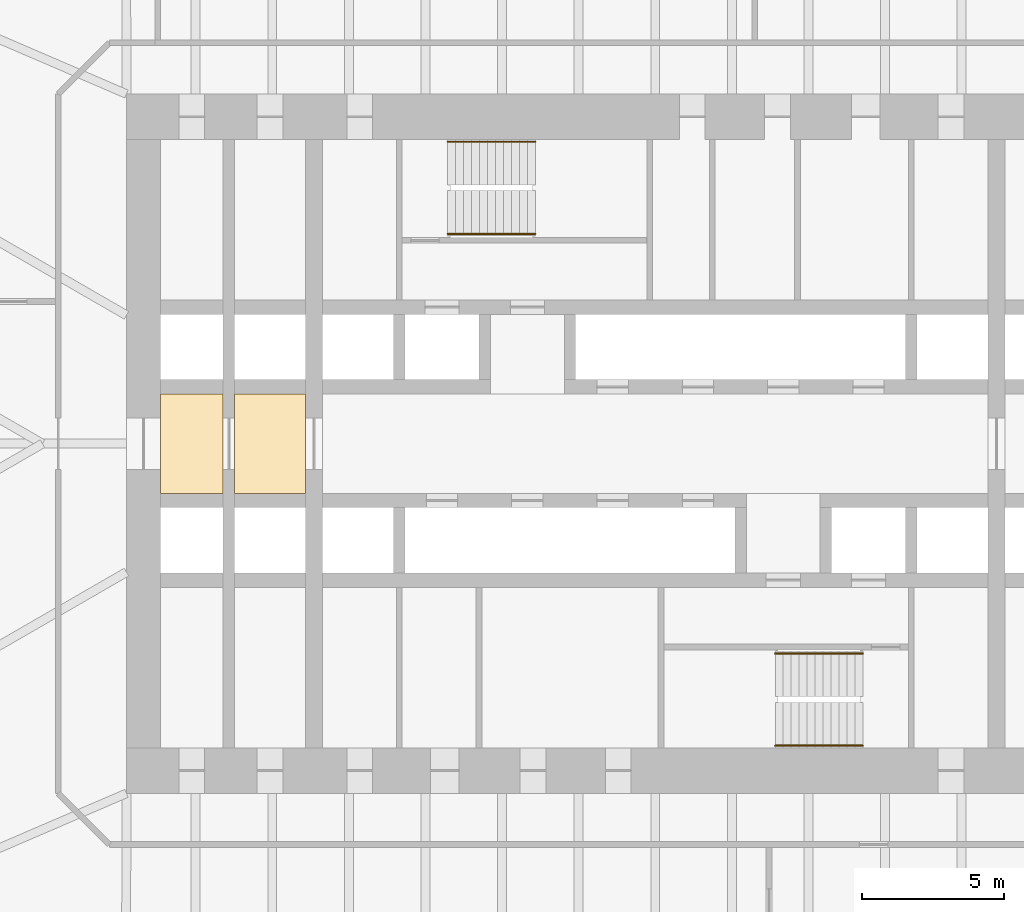
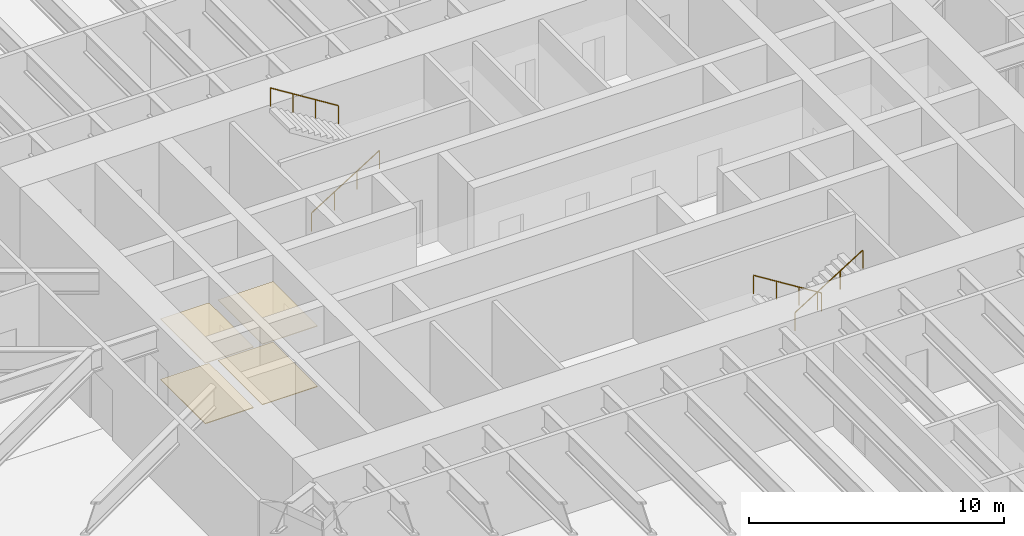
# One storey, part 21 of 23: 4 coverings, 4 railings.
"""IFC4 building model written with IfcOpenShell, lengths in metres."""

from ifc_helpers import new_model, si_unit, direction, frame, origin, origin_2d, place, context, subcontext, project, spatial, polyline, circle, outline, extrude, material, layer, layer_set, type_object, element, save


model = new_model("IFC4")

# Units and contexts
model_context = context("Model", 3, precision=1e-05, world=origin(), true_north=direction((0.0, 1.0)))
body_context = subcontext(model_context, "Body", "Model", "MODEL_VIEW")
ifc_project = project(units=[si_unit("LENGTHUNIT", "METRE"), si_unit("AREAUNIT", "SQUARE_METRE"), si_unit("VOLUMEUNIT", "CUBIC_METRE"), si_unit("PLANEANGLEUNIT", "RADIAN"), si_unit("MASSUNIT", "GRAM", prefix="KILO")], contexts=[model_context])

# Site, building, storey
site_placement = place(None, origin())
site = spatial("IfcSite", under=ifc_project, at=site_placement, CompositionType="ELEMENT")
building_placement = place(site_placement, origin())
building = spatial("IfcBuilding", under=site, at=building_placement, Name="Tarfa Lantern Tower", CompositionType="ELEMENT")
storey_placement = place(building_placement, frame((0.0, 0.0, 44.5)))
storey = spatial("IfcBuildingStorey", under=building, at=storey_placement, Name="L09", CompositionType="ELEMENT", Elevation=44.5)

# Coverings
ifc_material_1 = material(Name="Powder-coated aluminium panel", Category="aluminium")
ifc_layer_1 = layer(ifc_material_1, 0.030029296875)
ifc_layer_set_1 = layer_set([ifc_layer_1], Name="CL3 METAL PANEL CEILING 30")
covering_type_1 = type_object("IfcCoveringType", Name="CL3 METAL PANEL CEILING 30", PredefinedType="CEILING", material=ifc_layer_set_1)
covering_1_placement = place(storey_placement, frame((0.0, 0.0, 2.89990234375)))
element("IfcCovering", 1, at=covering_1_placement, inside=storey, type_object=covering_type_1, Name="Ceiling L09-01", PredefinedType="CEILING", context=body_context, shape_type="SweptSolid", body=[
    extrude(outline(polyline([(-17.39990234375, -1.75), (-15.199951171875, -1.75), (-15.199951171875, 1.75), (-17.39990234375, 1.75), (-17.39990234375, -1.75)])), origin(), (0.0, 0.0, 1.0), 0.030029296875),
])
covering_2_placement = place(storey_placement, frame((0.0, 0.0, 2.89990234375)))
element("IfcCovering", 2, at=covering_2_placement, inside=storey, type_object=covering_type_1, Name="Ceiling L09-02", PredefinedType="CEILING", context=body_context, shape_type="SweptSolid", body=[
    extrude(outline(polyline([(-14.800048828125, -1.75), (-12.300048828125, -1.75), (-12.300048828125, 1.75), (-14.800048828125, 1.75), (-14.800048828125, -1.75)])), origin(), (0.0, 0.0, 1.0), 0.030029296875),
])
ifc_material_2 = material(Name="Honed limestone flooring", Category="masonry")
ifc_layer_2 = layer(ifc_material_2, 0.030029296875)
ifc_layer_set_2 = layer_set([ifc_layer_2], Name="FL2 STONE FLOORING 30")
covering_type_2 = type_object("IfcCoveringType", Name="FL2 STONE FLOORING 30", PredefinedType="FLOORING", material=ifc_layer_set_2)
covering_3_placement = place(storey_placement, origin())
element("IfcCovering", 3, at=covering_3_placement, inside=storey, type_object=covering_type_2, Name="Floor finish L09-01", PredefinedType="FLOORING", context=body_context, shape_type="SweptSolid", body=[
    extrude(outline(polyline([(-17.39990234375, -1.75), (-15.199951171875, -1.75), (-15.199951171875, 1.75), (-17.39990234375, 1.75), (-17.39990234375, -1.75)])), origin(), (0.0, 0.0, 1.0), 0.030029296875),
])
covering_4_placement = place(storey_placement, origin())
element("IfcCovering", 4, at=covering_4_placement, inside=storey, type_object=covering_type_2, Name="Floor finish L09-02", PredefinedType="FLOORING", context=body_context, shape_type="SweptSolid", body=[
    extrude(outline(polyline([(-14.800048828125, -1.75), (-12.300048828125, -1.75), (-12.300048828125, 1.75), (-14.800048828125, 1.75), (-14.800048828125, -1.75)])), origin(), (0.0, 0.0, 1.0), 0.030029296875),
])

# Railings
ifc_material_3 = material(Name="Stainless steel", Category="steel")
railing_type = type_object("IfcRailingType", Name="HR1 HANDRAIL 900", PredefinedType="HANDRAIL", material=ifc_material_3)
railing_1_placement = place(storey_placement, frame((-7.300048828125, 7.3798828125, 0.175048828125)))
element("IfcRailing", 5, at=railing_1_placement, inside=storey, type_object=railing_type, Name="Handrail 1", PredefinedType="HANDRAIL", context=body_context, shape_type="SweptSolid", body=[
    extrude(circle(Radius=0.02392578125, at=origin_2d()), frame((0.0, 0.0, 0.8759765625), z_axis=(0.847998304005, 0.0, 0.529998940003), x_axis=(0.0, 1.0, 0.0)), (0.0, 0.0, 1.0), 3.632080078125),
    extrude(circle(Radius=0.02099609375, at=origin_2d()), frame((0.0, 0.0, 0.0), z_axis=(0.0, 0.0, 1.0), x_axis=(0.0, 1.0, 0.0)), (0.0, 0.0, 1.0), 0.851806640625),
    extrude(circle(Radius=0.02099609375, at=origin_2d()), frame((1.026611328125, 0.0, 0.6416015625), z_axis=(0.0, 0.0, 1.0), x_axis=(0.0, 1.0, 0.0)), (0.0, 0.0, 1.0), 0.851806640625),
    extrude(circle(Radius=0.02099609375, at=origin_2d()), frame((2.053466796875, 0.0, 1.283447265625), z_axis=(0.0, 0.0, 1.0), x_axis=(0.0, 1.0, 0.0)), (0.0, 0.0, 1.0), 0.851806640625),
    extrude(circle(Radius=0.02099609375, at=origin_2d()), frame((3.080078125, 0.0, 1.925048828125), z_axis=(0.0, 0.0, 1.0), x_axis=(0.0, 1.0, 0.0)), (0.0, 0.0, 1.0), 0.851806640625),
])
for number, where, name in (
    (6, (-4.219970703125, 10.6201171875, 2.27490234375), "Handrail 2"),
    (7, (7.300048828125, -7.3798828125, 0.175048828125), "Handrail 1"),
):
    element("IfcRailing", number, at=place(storey_placement, frame(where)), inside=storey, type_object=railing_type, Name=name, PredefinedType="HANDRAIL", context=body_context, shape_type="SweptSolid", body=[
        extrude(circle(Radius=0.02392578125, at=origin_2d()), frame((0.0, 0.0, 0.8759765625), z_axis=(-0.847998304005, 0.0, 0.529998940003), x_axis=(0.0, -1.0, 0.0)), (0.0, 0.0, 1.0), 3.632080078125),
        extrude(circle(Radius=0.02099609375, at=origin_2d()), frame((0.0, 0.0, 0.0), z_axis=(0.0, 0.0, 1.0), x_axis=(0.0, -1.0, 0.0)), (0.0, 0.0, 1.0), 0.851806640625),
        extrude(circle(Radius=0.02099609375, at=origin_2d()), frame((-1.026611328125, 0.0, 0.6416015625), z_axis=(0.0, 0.0, 1.0), x_axis=(0.0, -1.0, 0.0)), (0.0, 0.0, 1.0), 0.851806640625),
        extrude(circle(Radius=0.02099609375, at=origin_2d()), frame((-2.053466796875, 0.0, 1.283447265625), z_axis=(0.0, 0.0, 1.0), x_axis=(0.0, -1.0, 0.0)), (0.0, 0.0, 1.0), 0.851806640625),
        extrude(circle(Radius=0.02099609375, at=origin_2d()), frame((-3.080078125, 0.0, 1.925048828125), z_axis=(0.0, 0.0, 1.0), x_axis=(0.0, -1.0, 0.0)), (0.0, 0.0, 1.0), 0.851806640625),
    ])
railing_2_placement = place(storey_placement, frame((4.219970703125, -10.6201171875, 2.27490234375)))
element("IfcRailing", 8, at=railing_2_placement, inside=storey, type_object=railing_type, Name="Handrail 2", PredefinedType="HANDRAIL", context=body_context, shape_type="SweptSolid", body=[
    extrude(circle(Radius=0.02392578125, at=origin_2d()), frame((0.0, 0.0, 0.8759765625), z_axis=(0.847998304005, 0.0, 0.529998940003), x_axis=(0.0, 1.0, 0.0)), (0.0, 0.0, 1.0), 3.632080078125),
    extrude(circle(Radius=0.02099609375, at=origin_2d()), frame((0.0, 0.0, 0.0), z_axis=(0.0, 0.0, 1.0), x_axis=(0.0, 1.0, 0.0)), (0.0, 0.0, 1.0), 0.851806640625),
    extrude(circle(Radius=0.02099609375, at=origin_2d()), frame((1.026611328125, 0.0, 0.6416015625), z_axis=(0.0, 0.0, 1.0), x_axis=(0.0, 1.0, 0.0)), (0.0, 0.0, 1.0), 0.851806640625),
    extrude(circle(Radius=0.02099609375, at=origin_2d()), frame((2.053466796875, 0.0, 1.283447265625), z_axis=(0.0, 0.0, 1.0), x_axis=(0.0, 1.0, 0.0)), (0.0, 0.0, 1.0), 0.851806640625),
    extrude(circle(Radius=0.02099609375, at=origin_2d()), frame((3.080078125, 0.0, 1.925048828125), z_axis=(0.0, 0.0, 1.0), x_axis=(0.0, 1.0, 0.0)), (0.0, 0.0, 1.0), 0.851806640625),
])

save(model, "model.ifc")
